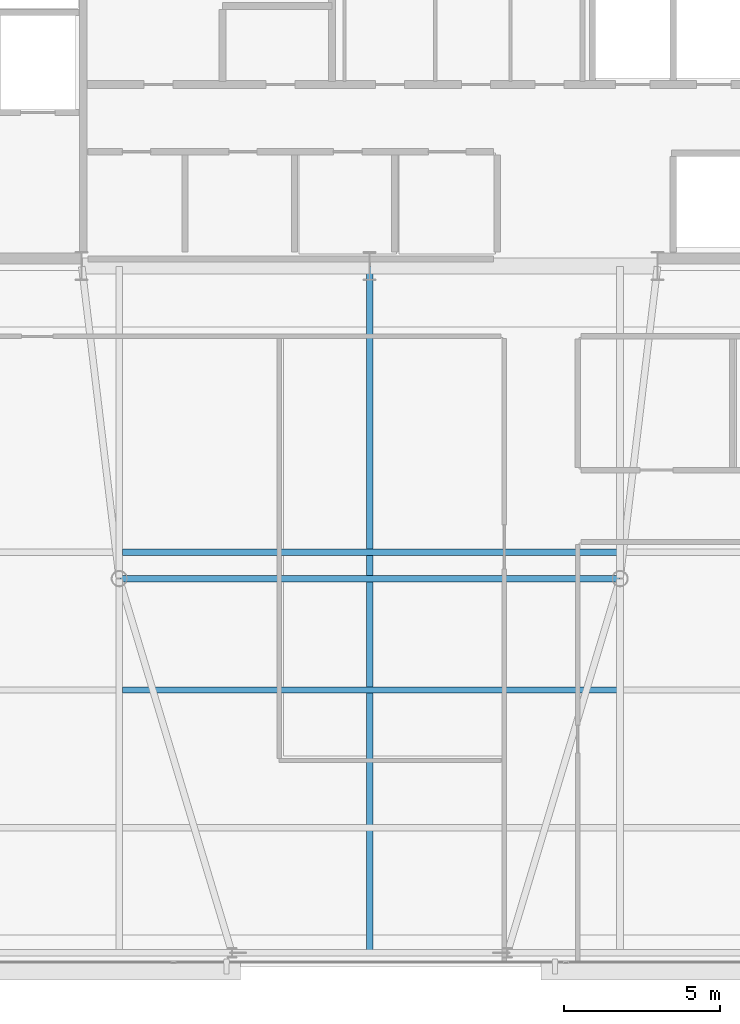
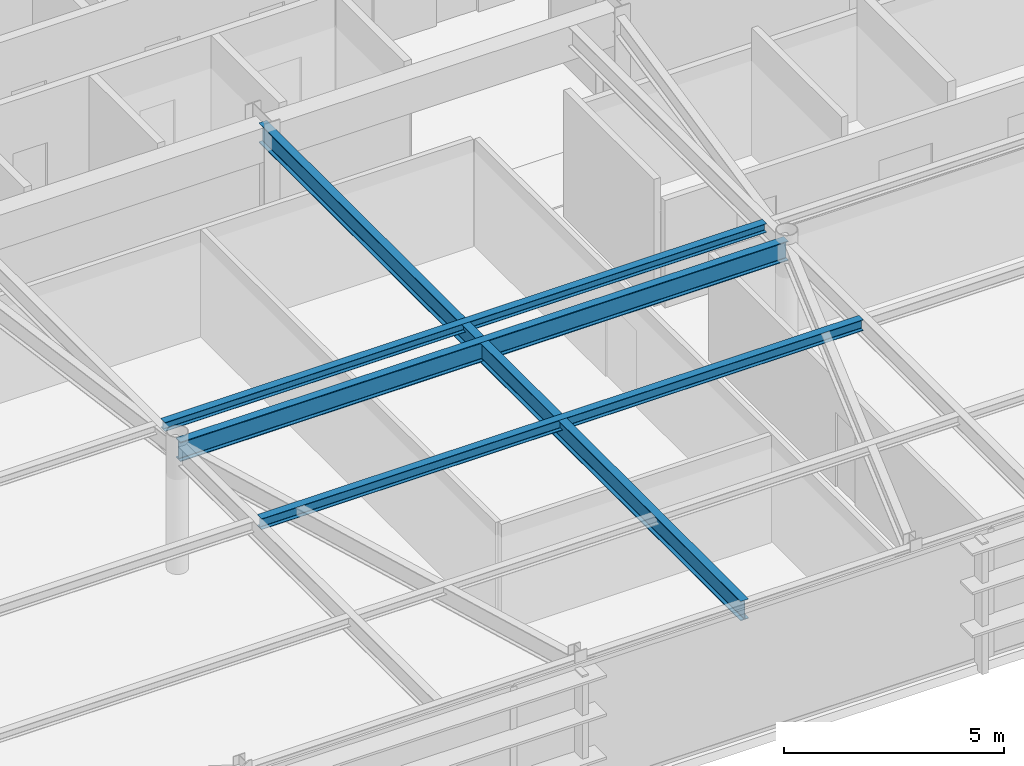
# One storey, part 9 of 24: 4 beams.
"""IFC4 building model written with IfcOpenShell, lengths in metres."""

from ifc_helpers import new_model, si_unit, direction, frame, origin, origin_2d, place, context, subcontext, project, spatial, i_section, extrude, source, transform, mapped, material, material_profile, profile_set, type_object, type_shapes, element, save


model = new_model("IFC4")

# Units and contexts
model_context = context("Model", 3, precision=1e-05, world=origin(), true_north=direction((0.0, 1.0)))
body_context = subcontext(model_context, "Body", "Model", "MODEL_VIEW")
ifc_project = project(units=[si_unit("LENGTHUNIT", "METRE"), si_unit("AREAUNIT", "SQUARE_METRE"), si_unit("VOLUMEUNIT", "CUBIC_METRE"), si_unit("PLANEANGLEUNIT", "RADIAN"), si_unit("MASSUNIT", "GRAM", prefix="KILO")], contexts=[model_context])

# Site, building, storey
site_placement = place(None, origin())
site = spatial("IfcSite", under=ifc_project, at=site_placement, CompositionType="ELEMENT")
building_placement = place(site_placement, origin())
building = spatial("IfcBuilding", under=site, at=building_placement, Name="Varnel Quay Broadcast Tower", CompositionType="ELEMENT")
storey_placement = place(building_placement, frame((0.0, 0.0, 269.800048828125)))
storey = spatial("IfcBuildingStorey", under=building, at=storey_placement, Name="L67", CompositionType="ELEMENT", Elevation=269.800048828125)

# Beams
ifc_material = material(Name="Structural Steel CSA G40.21 350W", Category="steel")
ifc_material_profile_1 = material_profile(ifc_material, i_section(OverallWidth=0.2119140625, OverallDepth=0.5439453125, WebThickness=0.01318359375, FlangeThickness=0.021240234375, FilletRadius=0.013916015625, at=origin_2d()), Name="W530X123")
ifc_profile_set_1 = profile_set([ifc_material_profile_1], Name="Structural Steel CSA G40.21 350W")
beam_type_1 = type_object("IfcBeamType", Name="Girder_W530X123", PredefinedType="BEAM", material=ifc_profile_set_1)
shared_shape_1 = source(origin(), body_context, "Body", "SweptSolid", [
    extrude(i_section(OverallWidth=0.2119140625, OverallDepth=0.5439453125, WebThickness=0.01318359375, FlangeThickness=0.021240234375, FilletRadius=0.013916015625, at=origin_2d()), origin(), (0.0, 0.0, 1.0), 15.9599609375),
])
beam_1_placement = place(storey_placement, frame((26.02001953125, 25.610107421875, 3.27783203125), z_axis=(1.0, 0.0, 0.0), x_axis=(0.0, 1.0, 0.0)))
element("IfcBeam", 1, at=beam_1_placement, inside=storey, type_object=beam_type_1, Name="L67 Interior Spine Girder", PredefinedType="BEAM", context=body_context, shape_type="MappedRepresentation", body=[
    mapped(shared_shape_1, transform((0.0, 0.0, 0.0), x_axis=(1.0, 0.0, 0.0), y_axis=(0.0, 1.0, 0.0), z_axis=(0.0, 0.0, 1.0), scale=1.0)),
])
shared_shape_2 = source(origin(), body_context, "Body", "SweptSolid", [
    extrude(i_section(OverallWidth=0.2119140625, OverallDepth=0.5439453125, WebThickness=0.01318359375, FlangeThickness=0.021240234375, FilletRadius=0.013916015625, at=origin_2d()), origin(), (0.0, 0.0, 1.0), 21.91015625),
])
type_shapes(beam_type_1, [shared_shape_1, shared_shape_2])
beam_2_placement = place(storey_placement, frame((34.0, 13.669921875, 3.27783203125), z_axis=(0.0, 1.0, 0.0), x_axis=(-1.0, 0.0, 0.0)))
element("IfcBeam", 2, at=beam_2_placement, inside=storey, type_object=beam_type_1, Name="L67 Central Bay Girder", PredefinedType="BEAM", context=body_context, shape_type="MappedRepresentation", body=[
    mapped(shared_shape_2, transform((0.0, 0.0, 0.0), x_axis=(1.0, 0.0, 0.0), y_axis=(0.0, 1.0, 0.0), z_axis=(0.0, 0.0, 1.0), scale=1.0)),
])
ifc_material_profile_2 = material_profile(ifc_material, i_section(OverallWidth=0.201904296875, OverallDepth=0.2470703125, WebThickness=0.00732421875, FlangeThickness=0.010986328125, FilletRadius=0.010986328125, at=origin_2d()), Name="W250X49")
ifc_profile_set_2 = profile_set([ifc_material_profile_2], Name="Structural Steel CSA G40.21 350W")
beam_type_2 = type_object("IfcBeamType", Name="Beam_W250X49", PredefinedType="JOIST", material=ifc_profile_set_2)
shared_shape_3 = source(origin(), body_context, "Body", "SweptSolid", [
    extrude(i_section(OverallWidth=0.201904296875, OverallDepth=0.2470703125, WebThickness=0.00732421875, FlangeThickness=0.010986328125, FilletRadius=0.010986328125, at=origin_2d()), origin(), (0.0, 0.0, 1.0), 15.7978515625),
])
type_shapes(beam_type_2, [shared_shape_3])
beam_3_placement = place(storey_placement, frame((26.10107421875, 26.449951171875, 3.426513671875), z_axis=(1.0, 0.0, 0.0), x_axis=(0.0, 1.0, 0.0)))
element("IfcBeam", 3, at=beam_3_placement, inside=storey, type_object=beam_type_2, Name="L67 Central Floor Joist 3", PredefinedType="JOIST", context=body_context, shape_type="MappedRepresentation", body=[
    mapped(shared_shape_3, transform((0.0, 0.0, 0.0), x_axis=(1.0, 0.0, 0.0), y_axis=(0.0, 1.0, 0.0), z_axis=(0.0, 0.0, 1.0), scale=1.0)),
])
ifc_material_profile_3 = material_profile(ifc_material, i_section(OverallWidth=0.202880859375, OverallDepth=0.302978515625, WebThickness=0.007568359375, FlangeThickness=0.01318359375, FilletRadius=0.011962890625, at=origin_2d()), Name="W310X60")
ifc_profile_set_3 = profile_set([ifc_material_profile_3], Name="Structural Steel CSA G40.21 350W")
beam_type_3 = type_object("IfcBeamType", Name="Beam_W310X60", PredefinedType="JOIST", material=ifc_profile_set_3)
shared_shape_4 = source(origin(), body_context, "Body", "SweptSolid", [
    extrude(i_section(OverallWidth=0.202880859375, OverallDepth=0.302978515625, WebThickness=0.007568359375, FlangeThickness=0.01318359375, FilletRadius=0.011962890625, at=origin_2d()), origin(), (0.0, 0.0, 1.0), 15.7978515625),
])
type_shapes(beam_type_3, [shared_shape_4])
beam_4_placement = place(storey_placement, frame((26.10107421875, 22.050048828125, 3.3984375), z_axis=(1.0, 0.0, 0.0), x_axis=(0.0, 1.0, 0.0)))
element("IfcBeam", 4, at=beam_4_placement, inside=storey, type_object=beam_type_3, Name="L67 Central Floor Joist 2", PredefinedType="JOIST", context=body_context, shape_type="MappedRepresentation", body=[
    mapped(shared_shape_4, transform((0.0, 0.0, 0.0), x_axis=(1.0, 0.0, 0.0), y_axis=(0.0, 1.0, 0.0), z_axis=(0.0, 0.0, 1.0), scale=1.0)),
])

save(model, "model.ifc")
